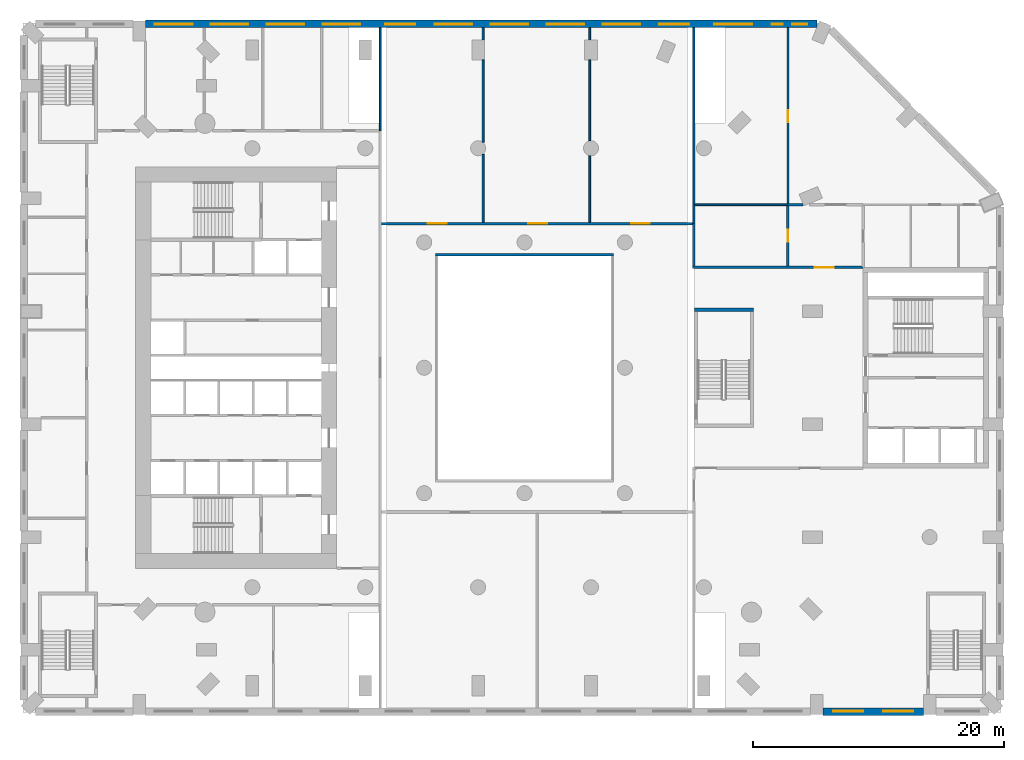
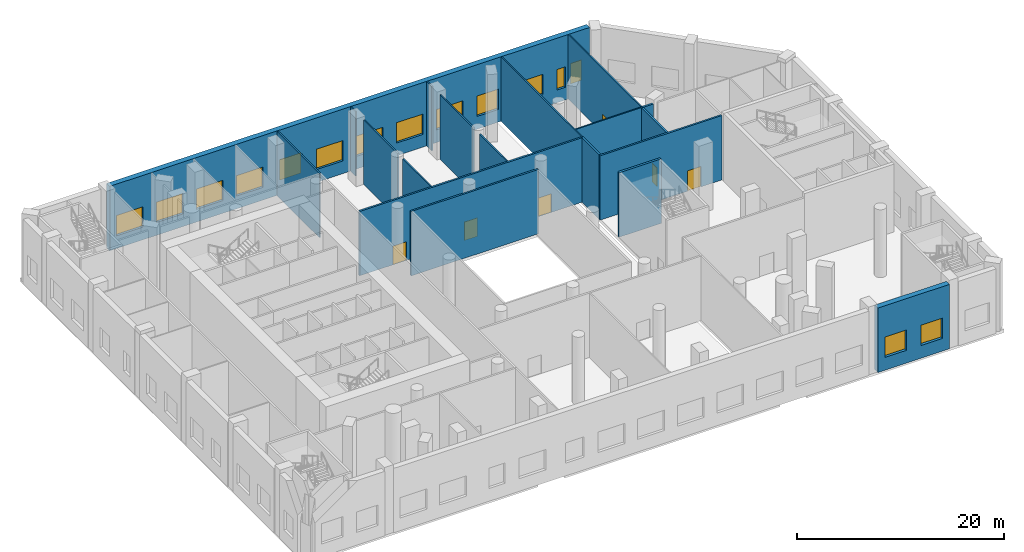
# One storey, part 7 of 18: 19 walls, 15 windows, 6 doors, 21 openings.
"""IFC4 building model written with IfcOpenShell, lengths in metres."""

from ifc_helpers import new_model, si_unit, direction, frame, frame_2d, origin, place, context, subcontext, project, spatial, rectangle, extrude, material, layer, layer_set, type_object, element, fill, save


model = new_model("IFC4")

# Units and contexts
model_context = context("Model", 3, precision=1e-05, world=origin(), true_north=direction((0.0, 1.0)))
body_context = subcontext(model_context, "Body", "Model", "MODEL_VIEW")
ifc_project = project(units=[si_unit("LENGTHUNIT", "METRE"), si_unit("AREAUNIT", "SQUARE_METRE"), si_unit("VOLUMEUNIT", "CUBIC_METRE"), si_unit("PLANEANGLEUNIT", "RADIAN"), si_unit("MASSUNIT", "GRAM", prefix="KILO")], contexts=[model_context])

# Site, building, storey
site_placement = place(None, origin())
site = spatial("IfcSite", under=ifc_project, at=site_placement, CompositionType="ELEMENT")
building_placement = place(site_placement, origin())
building = spatial("IfcBuilding", under=site, at=building_placement, Name="Cypress Arch Tower", CompositionType="ELEMENT")
storey_placement = place(building_placement, frame((0.0, 0.0, 36.0)))
storey = spatial("IfcBuildingStorey", under=building, at=storey_placement, Name="L04", CompositionType="ELEMENT", Elevation=36.0)

# Wall, openings, windows
ifc_material_1 = material(Name="Brick (red buff blend) on blockwork backing", Category="masonry")
ifc_layer_1 = layer(ifc_material_1, 0.60009765625)
ifc_layer_set_1 = layer_set([ifc_layer_1], Name="Brick base wall BW600")
wall_type_1 = type_object("IfcWallType", Name="Brick base wall BW600", PredefinedType="ELEMENTEDWALL", material=ifc_layer_set_1)
wall_1_placement = place(storey_placement, frame((24.800048828125, -27.425048828125, 0.0), z_axis=(0.0, 0.0, 1.0), x_axis=(1.0, 0.0, 0.0)))
wall_1 = element("IfcWall", 1, at=wall_1_placement, inside=storey, type_object=wall_type_1, Name="Brick wall L04 P00.7", PredefinedType="ELEMENTEDWALL", context=body_context, shape_type="SweptSolid", body=[
    extrude(rectangle(XDim=8.0, YDim=0.60009765625, at=frame_2d((4.0, 0.0))), origin(), (0.0, 0.0, 1.0), 7.60009765625),
])
opening_1_placement = place(wall_1_placement, frame((0.800048828125, 0.0, 1.5)))
opening_1 = element("IfcOpeningElement", 2, at=opening_1_placement, cuts=wall_1, Name="Opening W240P", PredefinedType="OPENING", context=body_context, shape_type="SweptSolid", body=[
    extrude(rectangle(XDim=2.39990234375, YDim=2.39990234375, at=frame_2d((1.199951171875, 1.199951171875))), frame((0.0, 0.31005859375, 0.0), z_axis=(0.0, -1.0, 0.0), x_axis=(1.0, 0.0, 0.0)), (0.0, 0.0, 1.0), 0.6201171875),
])
opening_2_placement = place(wall_1_placement, frame((4.800048828125, 0.0, 1.5)))
opening_2 = element("IfcOpeningElement", 3, at=opening_2_placement, cuts=wall_1, Name="Opening W240P", PredefinedType="OPENING", context=body_context, shape_type="SweptSolid", body=[
    extrude(rectangle(XDim=2.39990234375, YDim=2.39990234375, at=frame_2d((1.199951171875, 1.199951171875))), frame((0.0, 0.31005859375, 0.0), z_axis=(0.0, -1.0, 0.0), x_axis=(1.0, 0.0, 0.0)), (0.0, 0.0, 1.0), 0.6201171875),
])
ifc_material_2 = material(Name="Anodised aluminium, bronze finish, clear low-emissivity double glazing", Category="aluminium")
window_type_1 = type_object("IfcWindowType", Name="Window Podium 2400x2400", PartitioningType="SINGLE_PANEL", PredefinedType="WINDOW", material=ifc_material_2)
window_1_placement = place(opening_1_placement, origin())
window_1 = element("IfcWindow", 4, at=window_1_placement, inside=storey, type_object=window_type_1, Name="Window L04 P00.7.1", OverallHeight=2.39990234375, OverallWidth=2.39990234375, PartitioningType="SINGLE_PANEL", PredefinedType="WINDOW", context=body_context, shape_type="SweptSolid", body=[
    extrude(rectangle(XDim=2.39990234375, YDim=2.39990234375, at=frame_2d((1.199951171875, 1.199951171875))), frame((0.0, 0.06005859375, 0.0), z_axis=(0.0, -1.0, 0.0), x_axis=(1.0, 0.0, 0.0)), (0.0, 0.0, 1.0), 0.06005859375),
])
fill(opening_1, window_1)
window_2_placement = place(opening_2_placement, origin())
window_2 = element("IfcWindow", 5, at=window_2_placement, inside=storey, type_object=window_type_1, Name="Window L04 P00.7.2", OverallHeight=2.39990234375, OverallWidth=2.39990234375, PartitioningType="SINGLE_PANEL", PredefinedType="WINDOW", context=body_context, shape_type="SweptSolid", body=[
    extrude(rectangle(XDim=2.39990234375, YDim=2.39990234375, at=frame_2d((1.199951171875, 1.199951171875))), frame((0.0, 0.06005859375, 0.0), z_axis=(0.0, -1.0, 0.0), x_axis=(1.0, 0.0, 0.0)), (0.0, 0.0, 1.0), 0.06005859375),
])
fill(opening_2, window_2)

wall_2_placement = place(storey_placement, frame((24.33447265625, 27.425048828125, 0.0), z_axis=(0.0, 0.0, 1.0), x_axis=(-1.0, 0.0, 0.0)))
wall_2 = element("IfcWall", 6, at=wall_2_placement, inside=storey, type_object=wall_type_1, Name="Brick wall L04 P03.0", PredefinedType="ELEMENTEDWALL", context=body_context, shape_type="SweptSolid", body=[
    extrude(rectangle(XDim=53.534423828125, YDim=0.60009765625, at=frame_2d((26.76708984375, 0.0))), origin(), (0.0, 0.0, 1.0), 7.60009765625),
])
opening_3_placement = place(wall_2_placement, frame((5.19189453125, 0.0, 1.5)))
opening_3 = element("IfcOpeningElement", 7, at=opening_3_placement, cuts=wall_2, Name="Opening W300P", PredefinedType="OPENING", context=body_context, shape_type="SweptSolid", body=[
    extrude(rectangle(XDim=3.0, YDim=2.39990234375, at=frame_2d((1.5, 1.199951171875))), frame((0.0, 0.31005859375, 0.0), z_axis=(0.0, -1.0, 0.0), x_axis=(1.0, 0.0, 0.0)), (0.0, 0.0, 1.0), 0.6201171875),
])
opening_4_placement = place(wall_2_placement, frame((14.1142578125, 0.0, 1.5)))
opening_4 = element("IfcOpeningElement", 8, at=opening_4_placement, cuts=wall_2, Name="Opening W300P", PredefinedType="OPENING", context=body_context, shape_type="SweptSolid", body=[
    extrude(rectangle(XDim=3.0, YDim=2.39990234375, at=frame_2d((1.5, 1.199951171875))), frame((0.0, 0.31005859375, 0.0), z_axis=(0.0, -1.0, 0.0), x_axis=(1.0, 0.0, 0.0)), (0.0, 0.0, 1.0), 0.6201171875),
])
opening_5_placement = place(wall_2_placement, frame((18.575439453125, 0.0, 1.5)))
opening_5 = element("IfcOpeningElement", 9, at=opening_5_placement, cuts=wall_2, Name="Opening W300P", PredefinedType="OPENING", context=body_context, shape_type="SweptSolid", body=[
    extrude(rectangle(XDim=3.0, YDim=2.39990234375, at=frame_2d((1.5, 1.199951171875))), frame((0.0, 0.31005859375, 0.0), z_axis=(0.0, -1.0, 0.0), x_axis=(1.0, 0.0, 0.0)), (0.0, 0.0, 1.0), 0.6201171875),
])
opening_6_placement = place(wall_2_placement, frame((23.03662109375, 0.0, 1.5)))
opening_6 = element("IfcOpeningElement", 10, at=opening_6_placement, cuts=wall_2, Name="Opening W300P", PredefinedType="OPENING", context=body_context, shape_type="SweptSolid", body=[
    extrude(rectangle(XDim=3.0, YDim=2.39990234375, at=frame_2d((1.5, 1.199951171875))), frame((0.0, 0.31005859375, 0.0), z_axis=(0.0, -1.0, 0.0), x_axis=(1.0, 0.0, 0.0)), (0.0, 0.0, 1.0), 0.6201171875),
])
opening_7_placement = place(wall_2_placement, frame((27.497802734375, 0.0, 1.5)))
opening_7 = element("IfcOpeningElement", 11, at=opening_7_placement, cuts=wall_2, Name="Opening W300P", PredefinedType="OPENING", context=body_context, shape_type="SweptSolid", body=[
    extrude(rectangle(XDim=3.0, YDim=2.39990234375, at=frame_2d((1.5, 1.199951171875))), frame((0.0, 0.31005859375, 0.0), z_axis=(0.0, -1.0, 0.0), x_axis=(1.0, 0.0, 0.0)), (0.0, 0.0, 1.0), 0.6201171875),
])
opening_8_placement = place(wall_2_placement, frame((36.42041015625, 0.0, 1.5)))
opening_8 = element("IfcOpeningElement", 12, at=opening_8_placement, cuts=wall_2, Name="Opening W300P", PredefinedType="OPENING", context=body_context, shape_type="SweptSolid", body=[
    extrude(rectangle(XDim=3.0, YDim=2.39990234375, at=frame_2d((1.5, 1.199951171875))), frame((0.0, 0.31005859375, 0.0), z_axis=(0.0, -1.0, 0.0), x_axis=(1.0, 0.0, 0.0)), (0.0, 0.0, 1.0), 0.6201171875),
])
opening_9_placement = place(wall_2_placement, frame((40.881591796875, 0.0, 1.5)))
opening_9 = element("IfcOpeningElement", 13, at=opening_9_placement, cuts=wall_2, Name="Opening W300P", PredefinedType="OPENING", context=body_context, shape_type="SweptSolid", body=[
    extrude(rectangle(XDim=3.0, YDim=2.39990234375, at=frame_2d((1.5, 1.199951171875))), frame((0.0, 0.31005859375, 0.0), z_axis=(0.0, -1.0, 0.0), x_axis=(1.0, 0.0, 0.0)), (0.0, 0.0, 1.0), 0.6201171875),
])
opening_10_placement = place(wall_2_placement, frame((45.3427734375, 0.0, 1.5)))
opening_10 = element("IfcOpeningElement", 14, at=opening_10_placement, cuts=wall_2, Name="Opening W300P", PredefinedType="OPENING", context=body_context, shape_type="SweptSolid", body=[
    extrude(rectangle(XDim=3.0, YDim=2.39990234375, at=frame_2d((1.5, 1.199951171875))), frame((0.0, 0.31005859375, 0.0), z_axis=(0.0, -1.0, 0.0), x_axis=(1.0, 0.0, 0.0)), (0.0, 0.0, 1.0), 0.6201171875),
])
opening_11_placement = place(wall_2_placement, frame((49.803955078125, 0.0, 1.5)))
opening_11 = element("IfcOpeningElement", 15, at=opening_11_placement, cuts=wall_2, Name="Opening W300P", PredefinedType="OPENING", context=body_context, shape_type="SweptSolid", body=[
    extrude(rectangle(XDim=3.0, YDim=2.39990234375, at=frame_2d((1.5, 1.199951171875))), frame((0.0, 0.31005859375, 0.0), z_axis=(0.0, -1.0, 0.0), x_axis=(1.0, 0.0, 0.0)), (0.0, 0.0, 1.0), 0.6201171875),
])
opening_12_placement = place(wall_2_placement, frame((0.782470703125, 0.0, 1.5)))
opening_12 = element("IfcOpeningElement", 16, at=opening_12_placement, cuts=wall_2, Name="Opening W120P", PredefinedType="OPENING", context=body_context, shape_type="SweptSolid", body=[
    extrude(rectangle(XDim=1.199951171875, YDim=2.39990234375, at=frame_2d((0.60009765625, 1.199951171875))), frame((0.0, 0.31005859375, 0.0), z_axis=(0.0, -1.0, 0.0), x_axis=(1.0, 0.0, 0.0)), (0.0, 0.0, 1.0), 0.6201171875),
])
opening_13_placement = place(wall_2_placement, frame((2.732666015625, 0.0, 1.5)))
opening_13 = element("IfcOpeningElement", 17, at=opening_13_placement, cuts=wall_2, Name="Opening W090P", PredefinedType="OPENING", context=body_context, shape_type="SweptSolid", body=[
    extrude(rectangle(XDim=0.89990234375, YDim=2.39990234375, at=frame_2d((0.449951171875, 1.199951171875))), frame((0.0, 0.31005859375, 0.0), z_axis=(0.0, -1.0, 0.0), x_axis=(1.0, 0.0, 0.0)), (0.0, 0.0, 1.0), 0.6201171875),
])
opening_14_placement = place(wall_2_placement, frame((10.19384765625, 0.0, 1.5)))
opening_14 = element("IfcOpeningElement", 18, at=opening_14_placement, cuts=wall_2, Name="Opening W240P", PredefinedType="OPENING", context=body_context, shape_type="SweptSolid", body=[
    extrude(rectangle(XDim=2.39990234375, YDim=2.39990234375, at=frame_2d((1.199951171875, 1.199951171875))), frame((0.0, 0.31005859375, 0.0), z_axis=(0.0, -1.0, 0.0), x_axis=(1.0, 0.0, 0.0)), (0.0, 0.0, 1.0), 0.6201171875),
])
opening_15_placement = place(wall_2_placement, frame((32.046875, 0.0, 1.5)))
opening_15 = element("IfcOpeningElement", 19, at=opening_15_placement, cuts=wall_2, Name="Opening W240P", PredefinedType="OPENING", context=body_context, shape_type="SweptSolid", body=[
    extrude(rectangle(XDim=2.39990234375, YDim=2.39990234375, at=frame_2d((1.199951171875, 1.199951171875))), frame((0.0, 0.31005859375, 0.0), z_axis=(0.0, -1.0, 0.0), x_axis=(1.0, 0.0, 0.0)), (0.0, 0.0, 1.0), 0.6201171875),
])
ifc_material_3 = material(Name="Anodised aluminium, bronze finish, clear low-emissivity double glazing", Category="aluminium")
window_type_2 = type_object("IfcWindowType", Name="Window Podium 1200x2400", PartitioningType="SINGLE_PANEL", PredefinedType="WINDOW", material=ifc_material_3)
window_3_placement = place(opening_12_placement, origin())
window_3 = element("IfcWindow", 20, at=window_3_placement, inside=storey, type_object=window_type_2, Name="Window L04 P03.0.1", OverallHeight=2.39990234375, OverallWidth=1.199951171875, PartitioningType="SINGLE_PANEL", PredefinedType="WINDOW", context=body_context, shape_type="SweptSolid", body=[
    extrude(rectangle(XDim=1.199951171875, YDim=2.39990234375, at=frame_2d((0.60009765625, 1.199951171875))), frame((0.0, 0.06005859375, 0.0), z_axis=(0.0, -1.0, 0.0), x_axis=(1.0, 0.0, 0.0)), (0.0, 0.0, 1.0), 0.06005859375),
])
fill(opening_12, window_3)
window_4_placement = place(opening_14_placement, origin())
window_4 = element("IfcWindow", 21, at=window_4_placement, inside=storey, type_object=window_type_1, Name="Window L04 P03.0.3", OverallHeight=2.39990234375, OverallWidth=2.39990234375, PartitioningType="SINGLE_PANEL", PredefinedType="WINDOW", context=body_context, shape_type="SweptSolid", body=[
    extrude(rectangle(XDim=2.39990234375, YDim=2.39990234375, at=frame_2d((1.199951171875, 1.199951171875))), frame((0.0, 0.06005859375, 0.0), z_axis=(0.0, -1.0, 0.0), x_axis=(1.0, 0.0, 0.0)), (0.0, 0.0, 1.0), 0.06005859375),
])
fill(opening_14, window_4)
window_5_placement = place(opening_15_placement, origin())
window_5 = element("IfcWindow", 22, at=window_5_placement, inside=storey, type_object=window_type_1, Name="Window L04 P03.0.8", OverallHeight=2.39990234375, OverallWidth=2.39990234375, PartitioningType="SINGLE_PANEL", PredefinedType="WINDOW", context=body_context, shape_type="SweptSolid", body=[
    extrude(rectangle(XDim=2.39990234375, YDim=2.39990234375, at=frame_2d((1.199951171875, 1.199951171875))), frame((0.0, 0.06005859375, 0.0), z_axis=(0.0, -1.0, 0.0), x_axis=(1.0, 0.0, 0.0)), (0.0, 0.0, 1.0), 0.06005859375),
])
fill(opening_15, window_5)
ifc_material_4 = material(Name="Anodised aluminium, bronze finish, clear low-emissivity double glazing", Category="aluminium")
window_type_3 = type_object("IfcWindowType", Name="Window Podium 3000x2400", PartitioningType="SINGLE_PANEL", PredefinedType="WINDOW", material=ifc_material_4)
window_6_placement = place(opening_3_placement, origin())
window_6 = element("IfcWindow", 23, at=window_6_placement, inside=storey, type_object=window_type_3, Name="Window L04 P03.0.2", OverallHeight=2.39990234375, OverallWidth=3.0, PartitioningType="SINGLE_PANEL", PredefinedType="WINDOW", context=body_context, shape_type="SweptSolid", body=[
    extrude(rectangle(XDim=3.0, YDim=2.39990234375, at=frame_2d((1.5, 1.199951171875))), frame((0.0, 0.06005859375, 0.0), z_axis=(0.0, -1.0, 0.0), x_axis=(1.0, 0.0, 0.0)), (0.0, 0.0, 1.0), 0.06005859375),
])
fill(opening_3, window_6)
window_7_placement = place(opening_4_placement, origin())
window_7 = element("IfcWindow", 24, at=window_7_placement, inside=storey, type_object=window_type_3, Name="Window L04 P03.0.4", OverallHeight=2.39990234375, OverallWidth=3.0, PartitioningType="SINGLE_PANEL", PredefinedType="WINDOW", context=body_context, shape_type="SweptSolid", body=[
    extrude(rectangle(XDim=3.0, YDim=2.39990234375, at=frame_2d((1.5, 1.199951171875))), frame((0.0, 0.06005859375, 0.0), z_axis=(0.0, -1.0, 0.0), x_axis=(1.0, 0.0, 0.0)), (0.0, 0.0, 1.0), 0.06005859375),
])
fill(opening_4, window_7)
window_8_placement = place(opening_5_placement, origin())
window_8 = element("IfcWindow", 25, at=window_8_placement, inside=storey, type_object=window_type_3, Name="Window L04 P03.0.5", OverallHeight=2.39990234375, OverallWidth=3.0, PartitioningType="SINGLE_PANEL", PredefinedType="WINDOW", context=body_context, shape_type="SweptSolid", body=[
    extrude(rectangle(XDim=3.0, YDim=2.39990234375, at=frame_2d((1.5, 1.199951171875))), frame((0.0, 0.06005859375, 0.0), z_axis=(0.0, -1.0, 0.0), x_axis=(1.0, 0.0, 0.0)), (0.0, 0.0, 1.0), 0.06005859375),
])
fill(opening_5, window_8)
window_9_placement = place(opening_6_placement, origin())
window_9 = element("IfcWindow", 26, at=window_9_placement, inside=storey, type_object=window_type_3, Name="Window L04 P03.0.6", OverallHeight=2.39990234375, OverallWidth=3.0, PartitioningType="SINGLE_PANEL", PredefinedType="WINDOW", context=body_context, shape_type="SweptSolid", body=[
    extrude(rectangle(XDim=3.0, YDim=2.39990234375, at=frame_2d((1.5, 1.199951171875))), frame((0.0, 0.06005859375, 0.0), z_axis=(0.0, -1.0, 0.0), x_axis=(1.0, 0.0, 0.0)), (0.0, 0.0, 1.0), 0.06005859375),
])
fill(opening_6, window_9)
window_10_placement = place(opening_7_placement, origin())
window_10 = element("IfcWindow", 27, at=window_10_placement, inside=storey, type_object=window_type_3, Name="Window L04 P03.0.7", OverallHeight=2.39990234375, OverallWidth=3.0, PartitioningType="SINGLE_PANEL", PredefinedType="WINDOW", context=body_context, shape_type="SweptSolid", body=[
    extrude(rectangle(XDim=3.0, YDim=2.39990234375, at=frame_2d((1.5, 1.199951171875))), frame((0.0, 0.06005859375, 0.0), z_axis=(0.0, -1.0, 0.0), x_axis=(1.0, 0.0, 0.0)), (0.0, 0.0, 1.0), 0.06005859375),
])
fill(opening_7, window_10)
window_11_placement = place(opening_8_placement, origin())
window_11 = element("IfcWindow", 28, at=window_11_placement, inside=storey, type_object=window_type_3, Name="Window L04 P03.0.9", OverallHeight=2.39990234375, OverallWidth=3.0, PartitioningType="SINGLE_PANEL", PredefinedType="WINDOW", context=body_context, shape_type="SweptSolid", body=[
    extrude(rectangle(XDim=3.0, YDim=2.39990234375, at=frame_2d((1.5, 1.199951171875))), frame((0.0, 0.06005859375, 0.0), z_axis=(0.0, -1.0, 0.0), x_axis=(1.0, 0.0, 0.0)), (0.0, 0.0, 1.0), 0.06005859375),
])
fill(opening_8, window_11)
window_12_placement = place(opening_9_placement, origin())
window_12 = element("IfcWindow", 29, at=window_12_placement, inside=storey, type_object=window_type_3, Name="Window L04 P03.0.10", OverallHeight=2.39990234375, OverallWidth=3.0, PartitioningType="SINGLE_PANEL", PredefinedType="WINDOW", context=body_context, shape_type="SweptSolid", body=[
    extrude(rectangle(XDim=3.0, YDim=2.39990234375, at=frame_2d((1.5, 1.199951171875))), frame((0.0, 0.06005859375, 0.0), z_axis=(0.0, -1.0, 0.0), x_axis=(1.0, 0.0, 0.0)), (0.0, 0.0, 1.0), 0.06005859375),
])
fill(opening_9, window_12)
window_13_placement = place(opening_10_placement, origin())
window_13 = element("IfcWindow", 30, at=window_13_placement, inside=storey, type_object=window_type_3, Name="Window L04 P03.0.11", OverallHeight=2.39990234375, OverallWidth=3.0, PartitioningType="SINGLE_PANEL", PredefinedType="WINDOW", context=body_context, shape_type="SweptSolid", body=[
    extrude(rectangle(XDim=3.0, YDim=2.39990234375, at=frame_2d((1.5, 1.199951171875))), frame((0.0, 0.06005859375, 0.0), z_axis=(0.0, -1.0, 0.0), x_axis=(1.0, 0.0, 0.0)), (0.0, 0.0, 1.0), 0.06005859375),
])
fill(opening_10, window_13)
window_14_placement = place(opening_11_placement, origin())
window_14 = element("IfcWindow", 31, at=window_14_placement, inside=storey, type_object=window_type_3, Name="Window L04 P03.0.12", OverallHeight=2.39990234375, OverallWidth=3.0, PartitioningType="SINGLE_PANEL", PredefinedType="WINDOW", context=body_context, shape_type="SweptSolid", body=[
    extrude(rectangle(XDim=3.0, YDim=2.39990234375, at=frame_2d((1.5, 1.199951171875))), frame((0.0, 0.06005859375, 0.0), z_axis=(0.0, -1.0, 0.0), x_axis=(1.0, 0.0, 0.0)), (0.0, 0.0, 1.0), 0.06005859375),
])
fill(opening_11, window_14)
ifc_material_5 = material(Name="Anodised aluminium, bronze finish, clear low-emissivity double glazing", Category="aluminium")
window_type_4 = type_object("IfcWindowType", Name="Window Podium 900x2400", PartitioningType="SINGLE_PANEL", PredefinedType="WINDOW", material=ifc_material_5)
window_15_placement = place(opening_13_placement, origin())
window_15 = element("IfcWindow", 32, at=window_15_placement, inside=storey, type_object=window_type_4, Name="Window L04 P03.0.1b", OverallHeight=2.39990234375, OverallWidth=0.89990234375, PartitioningType="SINGLE_PANEL", PredefinedType="WINDOW", context=body_context, shape_type="SweptSolid", body=[
    extrude(rectangle(XDim=0.89990234375, YDim=2.39990234375, at=frame_2d((0.449951171875, 1.199951171875))), frame((0.0, 0.06005859375, 0.0), z_axis=(0.0, -1.0, 0.0), x_axis=(1.0, 0.0, 0.0)), (0.0, 0.0, 1.0), 0.06005859375),
])
fill(opening_13, window_15)

# Wall, openings, doors
ifc_material_6 = material(Name="Concrete blockwork, plastered, rated", Category="masonry")
ifc_layer_2 = layer(ifc_material_6, 0.199951171875)
ifc_layer_set_2 = layer_set([ifc_layer_2], Name="Corridor wall FW200")
wall_type_2 = type_object("IfcWallType", Name="Corridor wall FW200", PredefinedType="PARTITIONING", material=ifc_layer_set_2)
wall_3_placement = place(storey_placement, frame((-10.39990234375, 11.5, 0.0), z_axis=(0.0, 0.0, 1.0), x_axis=(1.0, 0.0, 0.0)))
wall_3 = element("IfcWall", 33, at=wall_3_placement, inside=storey, type_object=wall_type_2, Name="Corridor wall", PredefinedType="PARTITIONING", context=body_context, shape_type="SweptSolid", body=[
    extrude(rectangle(XDim=24.7998046875, YDim=0.199951171875, at=frame_2d((12.39990234375, 0.0))), origin(), (0.0, 0.0, 1.0), 7.597900390625),
])
opening_16_placement = place(wall_3_placement, frame((3.699951171875, 0.0, 0.0)))
opening_16 = element("IfcOpeningElement", 34, at=opening_16_placement, cuts=wall_3, Name="Opening D04", PredefinedType="OPENING", context=body_context, shape_type="SweptSolid", body=[
    extrude(rectangle(XDim=1.5, YDim=2.199951171875, at=frame_2d((0.75, 1.10009765625))), frame((0.0, 0.10986328125, 0.0), z_axis=(0.0, -1.0, 0.0), x_axis=(1.0, 0.0, 0.0)), (0.0, 0.0, 1.0), 0.219970703125),
])
opening_17_placement = place(wall_3_placement, frame((11.699951171875, 0.0, 0.0)))
opening_17 = element("IfcOpeningElement", 35, at=opening_17_placement, cuts=wall_3, Name="Opening D04", PredefinedType="OPENING", context=body_context, shape_type="SweptSolid", body=[
    extrude(rectangle(XDim=1.5, YDim=2.199951171875, at=frame_2d((0.75, 1.10009765625))), frame((0.0, 0.10986328125, 0.0), z_axis=(0.0, -1.0, 0.0), x_axis=(1.0, 0.0, 0.0)), (0.0, 0.0, 1.0), 0.219970703125),
])
opening_18_placement = place(wall_3_placement, frame((19.89990234375, 0.0, 0.0)))
opening_18 = element("IfcOpeningElement", 36, at=opening_18_placement, cuts=wall_3, Name="Opening D04", PredefinedType="OPENING", context=body_context, shape_type="SweptSolid", body=[
    extrude(rectangle(XDim=1.5, YDim=2.199951171875, at=frame_2d((0.75, 1.10009765625))), frame((0.0, 0.10986328125, 0.0), z_axis=(0.0, -1.0, 0.0), x_axis=(1.0, 0.0, 0.0)), (0.0, 0.0, 1.0), 0.219970703125),
])
ifc_material_7 = material(Name="Timber double door", Category="wood")
door_type_1 = type_object("IfcDoorType", Name="Double door D04 1500x2200", OperationType="DOUBLE_DOOR_SINGLE_SWING", PredefinedType="DOOR", material=ifc_material_7)
door_1_placement = place(opening_16_placement, origin())
door_1 = element("IfcDoor", 37, at=door_1_placement, inside=storey, type_object=door_type_1, Name="Double door", OperationType="DOUBLE_DOOR_SINGLE_SWING", OverallHeight=2.199951171875, OverallWidth=1.5, PredefinedType="DOOR", context=body_context, shape_type="SweptSolid", body=[
    extrude(rectangle(XDim=1.5, YDim=2.199951171875, at=frame_2d((0.75, 1.10009765625))), frame((0.0, 0.02490234375, 0.0), z_axis=(0.0, -1.0, 0.0), x_axis=(1.0, 0.0, 0.0)), (0.0, 0.0, 1.0), 0.050048828125),
])
fill(opening_16, door_1)
door_2_placement = place(opening_17_placement, origin())
door_2 = element("IfcDoor", 38, at=door_2_placement, inside=storey, type_object=door_type_1, Name="Double door", OperationType="DOUBLE_DOOR_SINGLE_SWING", OverallHeight=2.199951171875, OverallWidth=1.5, PredefinedType="DOOR", context=body_context, shape_type="SweptSolid", body=[
    extrude(rectangle(XDim=1.5, YDim=2.199951171875, at=frame_2d((0.75, 1.10009765625))), frame((0.0, 0.02490234375, 0.0), z_axis=(0.0, -1.0, 0.0), x_axis=(1.0, 0.0, 0.0)), (0.0, 0.0, 1.0), 0.050048828125),
])
fill(opening_17, door_2)
door_3_placement = place(opening_18_placement, origin())
door_3 = element("IfcDoor", 39, at=door_3_placement, inside=storey, type_object=door_type_1, Name="Double door", OperationType="DOUBLE_DOOR_SINGLE_SWING", OverallHeight=2.199951171875, OverallWidth=1.5, PredefinedType="DOOR", context=body_context, shape_type="SweptSolid", body=[
    extrude(rectangle(XDim=1.5, YDim=2.199951171875, at=frame_2d((0.75, 1.10009765625))), frame((0.0, 0.02490234375, 0.0), z_axis=(0.0, -1.0, 0.0), x_axis=(1.0, 0.0, 0.0)), (0.0, 0.0, 1.0), 0.050048828125),
])
fill(opening_18, door_3)

# Walls
wall_4_placement = place(storey_placement, frame((-6.10009765625, 9.0, 0.0), z_axis=(0.0, 0.0, 1.0), x_axis=(1.0, 0.0, 0.0)))
element("IfcWall", 40, at=wall_4_placement, inside=storey, type_object=wall_type_2, Name="Corridor wall", PredefinedType="PARTITIONING", context=body_context, shape_type="SweptSolid", body=[
    extrude(rectangle(XDim=14.2001953125, YDim=0.199951171875, at=frame_2d((7.10009765625, 0.0))), origin(), (0.0, 0.0, 1.0), 7.597900390625),
])
wall_5_placement = place(storey_placement, frame((14.5, 8.10009765625, 0.0), z_axis=(0.0, 0.0, 1.0), x_axis=(0.0, 1.0, 0.0)))
element("IfcWall", 41, at=wall_5_placement, inside=storey, type_object=wall_type_2, Name="Corridor wall", PredefinedType="PARTITIONING", context=body_context, shape_type="SweptSolid", body=[
    extrude(rectangle(XDim=3.39990234375, YDim=0.199951171875, at=frame_2d((1.699951171875, 0.0))), origin(), (0.0, 0.0, 1.0), 7.597900390625),
])

# Wall, opening, door
wall_6_placement = place(storey_placement, frame((14.39990234375, 8.0, 0.0), z_axis=(0.0, 0.0, 1.0), x_axis=(1.0, 0.0, 0.0)))
wall_6 = element("IfcWall", 42, at=wall_6_placement, inside=storey, type_object=wall_type_2, Name="Corridor wall", PredefinedType="PARTITIONING", context=body_context, shape_type="SweptSolid", body=[
    extrude(rectangle(XDim=13.570068359375, YDim=0.199951171875, at=frame_2d((6.78515625, 0.0))), origin(), (0.0, 0.0, 1.0), 7.597900390625),
])
opening_19_placement = place(wall_6_placement, frame((9.75, 0.0, 0.0)))
opening_19 = element("IfcOpeningElement", 43, at=opening_19_placement, cuts=wall_6, Name="Opening D07", PredefinedType="OPENING", context=body_context, shape_type="SweptSolid", body=[
    extrude(rectangle(XDim=1.5, YDim=2.39990234375, at=frame_2d((0.75, 1.199951171875))), frame((0.0, 0.10986328125, 0.0), z_axis=(0.0, -1.0, 0.0), x_axis=(1.0, 0.0, 0.0)), (0.0, 0.0, 1.0), 0.219970703125),
])
ifc_material_8 = material(Name="Steel framed glazed door, fire resisting", Category="steel")
door_type_2 = type_object("IfcDoorType", Name="Lobby door D07 1500x2400", OperationType="DOUBLE_DOOR_SINGLE_SWING", PredefinedType="DOOR", material=ifc_material_8)
door_4_placement = place(opening_19_placement, origin())
door_4 = element("IfcDoor", 44, at=door_4_placement, inside=storey, type_object=door_type_2, Name="Lobby door", OperationType="DOUBLE_DOOR_SINGLE_SWING", OverallHeight=2.39990234375, OverallWidth=1.5, PredefinedType="DOOR", context=body_context, shape_type="SweptSolid", body=[
    extrude(rectangle(XDim=1.5, YDim=2.39990234375, at=frame_2d((0.75, 1.199951171875))), frame((0.0, 0.02490234375, 0.0), z_axis=(0.0, -1.0, 0.0), x_axis=(1.0, 0.0, 0.0)), (0.0, 0.0, 1.0), 0.050048828125),
])
fill(opening_19, door_4)

# Wall
wall_7_placement = place(storey_placement, frame((22.02001953125, 13.0, 0.0), z_axis=(0.0, 0.0, 1.0), x_axis=(1.0, 0.0, 0.0)))
element("IfcWall", 45, at=wall_7_placement, inside=storey, type_object=wall_type_2, Name="Corridor wall", PredefinedType="PARTITIONING", context=body_context, shape_type="SweptSolid", body=[
    extrude(rectangle(XDim=1.183837890625, YDim=0.199951171875, at=frame_2d((0.591796875, 0.0))), origin(), (0.0, 0.0, 1.0), 7.597900390625),
])

# Wall, opening, door
wall_8_placement = place(storey_placement, frame((22.0, 8.10009765625, 0.0), z_axis=(0.0, 0.0, 1.0), x_axis=(0.0, 1.0, 0.0)))
wall_8 = element("IfcWall", 46, at=wall_8_placement, inside=storey, type_object=wall_type_2, Name="Corridor wall", PredefinedType="PARTITIONING", context=body_context, shape_type="SweptSolid", body=[
    extrude(rectangle(XDim=4.8798828125, YDim=0.199951171875, at=frame_2d((2.43994140625, 0.0))), origin(), (0.0, 0.0, 1.0), 7.597900390625),
])
opening_20_placement = place(wall_8_placement, frame((1.949951171875, 0.0, 0.0)))
opening_20 = element("IfcOpeningElement", 47, at=opening_20_placement, cuts=wall_8, Name="Opening D02", PredefinedType="OPENING", context=body_context, shape_type="SweptSolid", body=[
    extrude(rectangle(XDim=0.949951171875, YDim=2.199951171875, at=frame_2d((0.47509765625, 1.10009765625))), frame((0.0, 0.10986328125, 0.0), z_axis=(0.0, -1.0, 0.0), x_axis=(1.0, 0.0, 0.0)), (0.0, 0.0, 1.0), 0.219970703125),
])
ifc_material_9 = material(Name="Timber flush door, fire resisting", Category="wood")
door_type_3 = type_object("IfcDoorType", Name="Room door D02 950x2200", OperationType="SINGLE_SWING_LEFT", PredefinedType="DOOR", material=ifc_material_9)
door_5_placement = place(opening_20_placement, origin())
door_5 = element("IfcDoor", 48, at=door_5_placement, inside=storey, type_object=door_type_3, Name="Room door", OperationType="SINGLE_SWING_RIGHT", OverallHeight=2.199951171875, OverallWidth=0.949951171875, PredefinedType="DOOR", context=body_context, shape_type="SweptSolid", body=[
    extrude(rectangle(XDim=0.949951171875, YDim=2.199951171875, at=frame_2d((0.47509765625, 1.10009765625))), frame((0.0, 0.02490234375, 0.0), z_axis=(0.0, -1.0, 0.0), x_axis=(1.0, 0.0, 0.0)), (0.0, 0.0, 1.0), 0.050048828125),
])
fill(opening_20, door_5)

# Walls
ifc_material_10 = material(Name="Blockwork, plastered both sides", Category="masonry")
ifc_layer_3 = layer(ifc_material_10, 0.14990234375)
ifc_layer_set_3 = layer_set([ifc_layer_3], Name="Partition PW150")
wall_type_3 = type_object("IfcWallType", Name="Partition PW150", PredefinedType="PARTITIONING", material=ifc_layer_set_3)
wall_9_placement = place(storey_placement, frame((-10.5, 18.89990234375, 0.0), z_axis=(0.0, 0.0, 1.0), x_axis=(0.0, 1.0, 0.0)))
element("IfcWall", 49, at=wall_9_placement, inside=storey, type_object=wall_type_3, Name="Partition", PredefinedType="PARTITIONING", context=body_context, shape_type="SweptSolid", body=[
    extrude(rectangle(XDim=8.22509765625, YDim=0.14990234375, at=frame_2d((4.112548828125, 0.0))), origin(), (0.0, 0.0, 1.0), 7.597900390625),
])
wall_10_placement = place(storey_placement, frame((-2.300048828125, 11.60009765625, 0.0), z_axis=(0.0, 0.0, 1.0), x_axis=(0.0, 1.0, 0.0)))
element("IfcWall", 50, at=wall_10_placement, inside=storey, type_object=wall_type_3, Name="Partition", PredefinedType="PARTITIONING", context=body_context, shape_type="SweptSolid", body=[
    extrude(rectangle(XDim=5.40576171875, YDim=0.14990234375, at=frame_2d((2.702880859375, 0.0))), origin(), (0.0, 0.0, 1.0), 7.597900390625),
])
wall_11_placement = place(storey_placement, frame((-2.300048828125, 17.994140625, 0.0), z_axis=(0.0, 0.0, 1.0), x_axis=(0.0, 1.0, 0.0)))
element("IfcWall", 51, at=wall_11_placement, inside=storey, type_object=wall_type_3, Name="Partition", PredefinedType="PARTITIONING", context=body_context, shape_type="SweptSolid", body=[
    extrude(rectangle(XDim=6.555908203125, YDim=0.14990234375, at=frame_2d((3.27783203125, 0.0))), origin(), (0.0, 0.0, 1.0), 7.597900390625),
])
wall_12_placement = place(storey_placement, frame((-2.300048828125, 26.14990234375, 0.0), z_axis=(0.0, 0.0, 1.0), x_axis=(0.0, 1.0, 0.0)))
element("IfcWall", 52, at=wall_12_placement, inside=storey, type_object=wall_type_3, Name="Partition", PredefinedType="PARTITIONING", context=body_context, shape_type="SweptSolid", body=[
    extrude(rectangle(XDim=0.97509765625, YDim=0.14990234375, at=frame_2d((0.487548828125, 0.0))), origin(), (0.0, 0.0, 1.0), 7.597900390625),
])
wall_13_placement = place(storey_placement, frame((6.199951171875, 11.60009765625, 0.0), z_axis=(0.0, 0.0, 1.0), x_axis=(0.0, 1.0, 0.0)))
element("IfcWall", 53, at=wall_13_placement, inside=storey, type_object=wall_type_3, Name="Partition", PredefinedType="PARTITIONING", context=body_context, shape_type="SweptSolid", body=[
    extrude(rectangle(XDim=5.2998046875, YDim=0.14990234375, at=frame_2d((2.64990234375, 0.0))), origin(), (0.0, 0.0, 1.0), 7.597900390625),
])
wall_14_placement = place(storey_placement, frame((6.199951171875, 18.10009765625, 0.0), z_axis=(0.0, 0.0, 1.0), x_axis=(0.0, 1.0, 0.0)))
element("IfcWall", 54, at=wall_14_placement, inside=storey, type_object=wall_type_3, Name="Partition", PredefinedType="PARTITIONING", context=body_context, shape_type="SweptSolid", body=[
    extrude(rectangle(XDim=6.449951171875, YDim=0.14990234375, at=frame_2d((3.22509765625, 0.0))), origin(), (0.0, 0.0, 1.0), 7.597900390625),
])
wall_15_placement = place(storey_placement, frame((6.199951171875, 26.14990234375, 0.0), z_axis=(0.0, 0.0, 1.0), x_axis=(0.0, 1.0, 0.0)))
element("IfcWall", 55, at=wall_15_placement, inside=storey, type_object=wall_type_3, Name="Partition", PredefinedType="PARTITIONING", context=body_context, shape_type="SweptSolid", body=[
    extrude(rectangle(XDim=0.97509765625, YDim=0.14990234375, at=frame_2d((0.487548828125, 0.0))), origin(), (0.0, 0.0, 1.0), 7.597900390625),
])
wall_16_placement = place(storey_placement, frame((14.5, 11.5, 0.0), z_axis=(0.0, 0.0, 1.0), x_axis=(0.0, 1.0, 0.0)))
element("IfcWall", 56, at=wall_16_placement, inside=storey, type_object=wall_type_3, Name="Partition", PredefinedType="PARTITIONING", context=body_context, shape_type="SweptSolid", body=[
    extrude(rectangle(XDim=15.625, YDim=0.14990234375, at=frame_2d((7.8125, 0.0))), origin(), (0.0, 0.0, 1.0), 7.597900390625),
])
wall_17_placement = place(storey_placement, frame((14.574951171875, 13.0, 0.0), z_axis=(0.0, 0.0, 1.0), x_axis=(1.0, 0.0, 0.0)))
element("IfcWall", 57, at=wall_17_placement, inside=storey, type_object=wall_type_3, Name="Partition", PredefinedType="PARTITIONING", context=body_context, shape_type="SweptSolid", body=[
    extrude(rectangle(XDim=7.445068359375, YDim=0.14990234375, at=frame_2d((3.72265625, 0.0))), origin(), (0.0, 0.0, 1.0), 7.597900390625),
])

# Wall, opening, door
wall_18_placement = place(storey_placement, frame((22.0, 12.97998046875, 0.0), z_axis=(0.0, 0.0, 1.0), x_axis=(0.0, 1.0, 0.0)))
wall_18 = element("IfcWall", 58, at=wall_18_placement, inside=storey, type_object=wall_type_3, Name="Partition", PredefinedType="PARTITIONING", context=body_context, shape_type="SweptSolid", body=[
    extrude(rectangle(XDim=14.14501953125, YDim=0.14990234375, at=frame_2d((7.072509765625, 0.0))), origin(), (0.0, 0.0, 1.0), 7.597900390625),
])
opening_21_placement = place(wall_18_placement, frame((6.60009765625, 0.0, 0.0)))
opening_21 = element("IfcOpeningElement", 59, at=opening_21_placement, cuts=wall_18, Name="Opening D12", PredefinedType="OPENING", context=body_context, shape_type="SweptSolid", body=[
    extrude(rectangle(XDim=0.949951171875, YDim=2.199951171875, at=frame_2d((0.47509765625, 1.10009765625))), frame((0.0, 0.0849609375, 0.0), z_axis=(0.0, -1.0, 0.0), x_axis=(1.0, 0.0, 0.0)), (0.0, 0.0, 1.0), 0.169921875),
])
ifc_material_11 = material(Name="Timber flush door", Category="wood")
door_type_4 = type_object("IfcDoorType", Name="Room door D12 950x2200", OperationType="SINGLE_SWING_LEFT", PredefinedType="DOOR", material=ifc_material_11)
door_6_placement = place(opening_21_placement, origin())
door_6 = element("IfcDoor", 60, at=door_6_placement, inside=storey, type_object=door_type_4, Name="Room door", OperationType="SINGLE_SWING_LEFT", OverallHeight=2.199951171875, OverallWidth=0.949951171875, PredefinedType="DOOR", context=body_context, shape_type="SweptSolid", body=[
    extrude(rectangle(XDim=0.949951171875, YDim=2.199951171875, at=frame_2d((0.47509765625, 1.10009765625))), frame((0.0, 0.02490234375, 0.0), z_axis=(0.0, -1.0, 0.0), x_axis=(1.0, 0.0, 0.0)), (0.0, 0.0, 1.0), 0.050048828125),
])
fill(opening_21, door_6)

# Wall
ifc_material_12 = material(Name="Concrete C50/60", Category="concrete")
ifc_layer_4 = layer(ifc_material_12, 0.25)
ifc_layer_set_4 = layer_set([ifc_layer_4], Name="Stair enclosure wall SW250")
wall_type_4 = type_object("IfcWallType", Name="Stair enclosure wall SW250", PredefinedType="SHEAR", material=ifc_layer_set_4)
wall_19_placement = place(storey_placement, frame((14.550048828125, 4.625, 0.0), z_axis=(0.0, 0.0, 1.0), x_axis=(1.0, 0.0, 0.0)))
element("IfcWall", 61, at=wall_19_placement, inside=storey, type_object=wall_type_4, Name="Stair enclosure wall", PredefinedType="SHEAR", context=body_context, shape_type="SweptSolid", body=[
    extrude(rectangle(XDim=4.699951171875, YDim=0.25, at=frame_2d((2.35009765625, 0.0))), origin(), (0.0, 0.0, 1.0), 7.60009765625),
])

save(model, "model.ifc")
